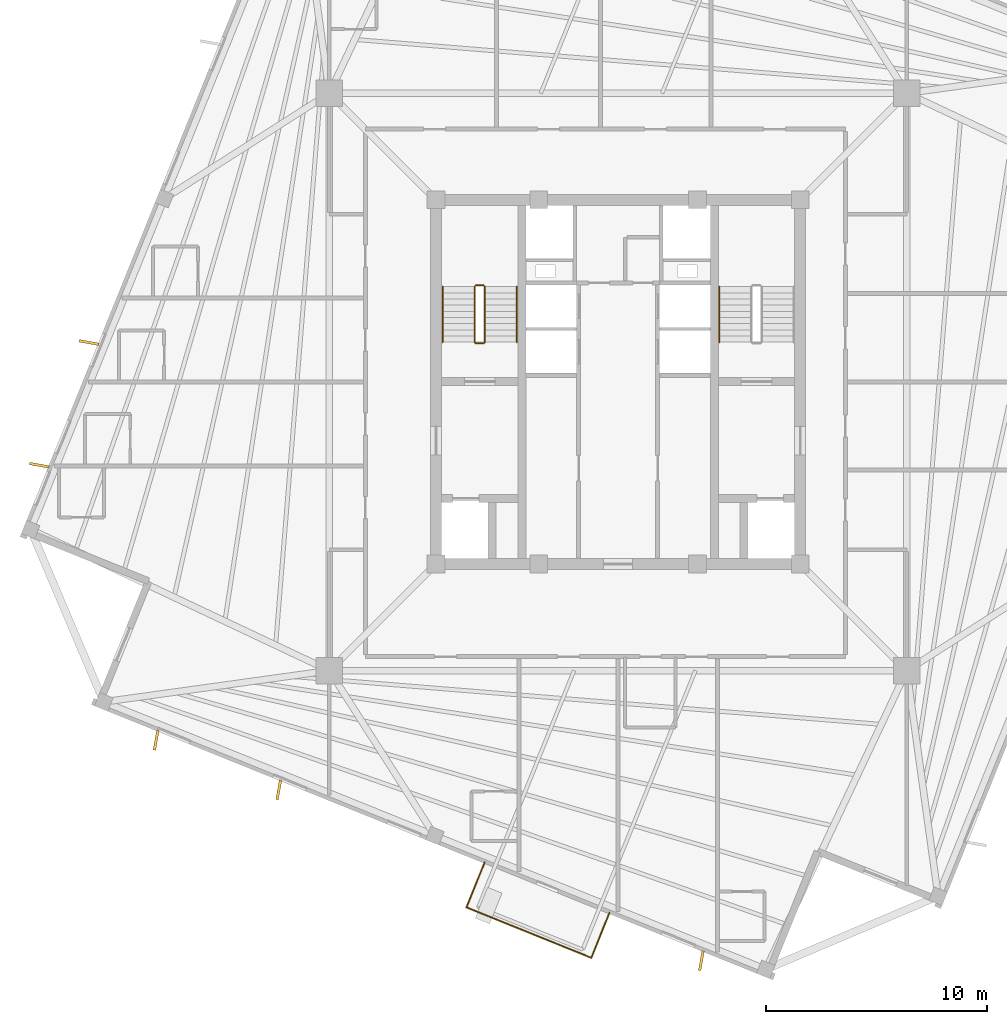
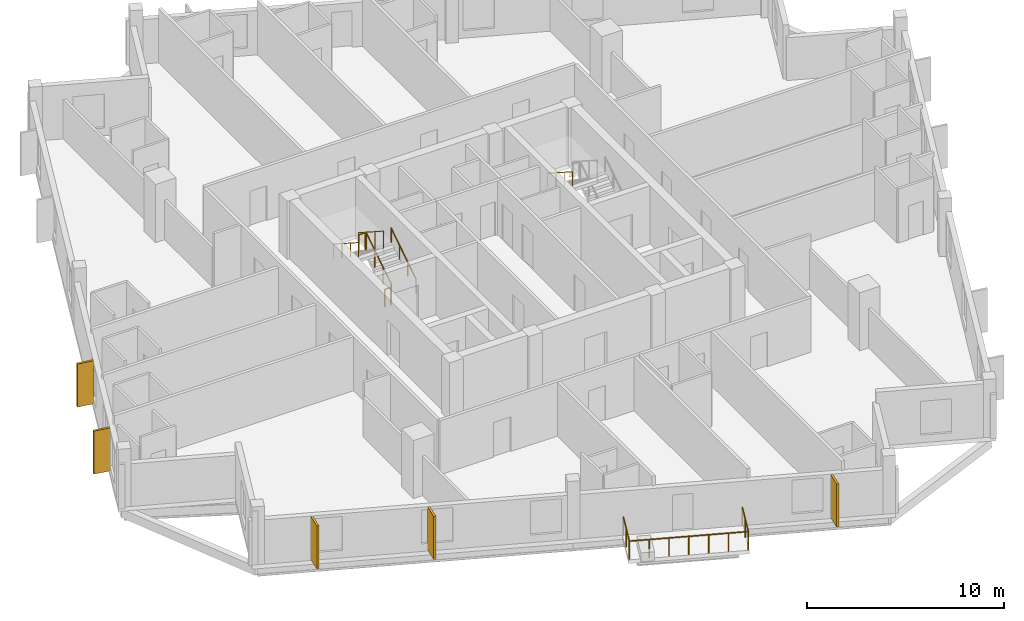
# One storey, part 7 of 9: 10 railings, 5 coverings.
"""IFC4 building model written with IfcOpenShell, lengths in metres."""

import ifcopenshell
import ifcopenshell.guid

model = None  # the IFC model being written
_history = None  # IfcOwnerHistory: only IFC2X3 demands one
_inside = {}  # id of a spatial element -> (the spatial element, [elements in it])
_under = {}  # id of a project, library or spatial element -> (it, [spatial elements below it])
_declared = {}  # id of a project -> (the project, [libraries it declares])
_typed = {}  # id of a type object -> (the type object, [elements of that type])
_made_of = {}  # id of a material, layer set ... -> (it, [elements and type objects made of it])


def new_model(schema):
    """Start an empty IFC model of exactly this schema.

    Asked for "IFC4X3", IfcOpenShell would pick the latest addendum, in which some entities
    have other attributes; the version numbers below select the first issue.
    IFC2X3 requires an IfcOwnerHistory on every rooted entity: one is made here for all.
    """
    global model, _history
    if schema == "IFC4X3":
        model = ifcopenshell.file(schema_version=(4, 3, 0, 0))
    else:
        model = ifcopenshell.file(schema=schema)
    _inside.clear()
    _under.clear()
    _declared.clear()
    _typed.clear()
    _made_of.clear()
    _history = None
    if model.schema == "IFC2X3":
        org = make("IfcOrganization", Name="unknown")
        user = make(
            "IfcPersonAndOrganization",
            ThePerson=make("IfcPerson", FamilyName="unknown"),
            TheOrganization=org,
        )
        app = make(
            "IfcApplication",
            ApplicationDeveloper=org,
            Version="unknown",
            ApplicationFullName="unknown",
            ApplicationIdentifier="unknown",
        )
        _history = make(
            "IfcOwnerHistory",
            OwningUser=user,
            OwningApplication=app,
            ChangeAction="ADDED",
            CreationDate=0,
        )
    return model


def make(cls, **values):
    """One entity of the class cls with the attributes given. An attribute that is None is left unset."""
    return model.create_entity(
        cls, **{name: value for name, value in values.items() if value is not None}
    )


def rooted(cls, **values):
    """An entity with a GlobalId (a new one), such as an element, a storey or a relation."""
    return make(cls, GlobalId=ifcopenshell.guid.new(), OwnerHistory=_history, **values)


def si_unit(unit_type, name, prefix=None):
    """IfcSIUnit, for example si_unit("LENGTHUNIT", "METRE", prefix="MILLI")."""
    return make("IfcSIUnit", UnitType=unit_type, Prefix=prefix, Name=name)


def assignment(units):
    """IfcUnitAssignment: the units of a project."""
    return None if units is None else make("IfcUnitAssignment", Units=units)


def point(xyz):
    """IfcCartesianPoint."""
    return None if xyz is None else make("IfcCartesianPoint", Coordinates=xyz)


def direction(xyz):
    """IfcDirection."""
    return None if xyz is None else make("IfcDirection", DirectionRatios=xyz)


def frame(location, z_axis=None, x_axis=None):
    """IfcAxis2Placement3D, a coordinate frame: its origin and axes. An axis left out is left unset."""
    return make(
        "IfcAxis2Placement3D",
        Location=point(location),
        Axis=direction(z_axis),
        RefDirection=direction(x_axis),
    )


def frame_2d(location, x_axis=None):
    """IfcAxis2Placement2D, a coordinate frame in the plane: its origin and x axis."""
    return make(
        "IfcAxis2Placement2D", Location=point(location), RefDirection=direction(x_axis)
    )


def origin():
    """The frame at (0, 0, 0) with its axes left unset."""
    return frame((0.0, 0.0, 0.0))


def origin_2d():
    """The frame at (0, 0) in the plane with its x axis left unset."""
    return frame_2d((0.0, 0.0))


def place(relative_to, where):
    """IfcLocalPlacement: puts the frame where relative to a parent placement (None: the world)."""
    return make(
        "IfcLocalPlacement", PlacementRelTo=relative_to, RelativePlacement=where
    )


def context(
    kind, dimensions, precision=None, world=None, true_north=None, identifier=None
):
    """IfcGeometricRepresentationContext, for example the 3D "Model" context."""
    return make(
        "IfcGeometricRepresentationContext",
        ContextIdentifier=identifier,
        ContextType=kind,
        CoordinateSpaceDimension=dimensions,
        Precision=precision,
        WorldCoordinateSystem=world,
        TrueNorth=true_north,
    )


def subcontext(parent, identifier, kind, view, scale=None):
    """IfcGeometricRepresentationSubContext, for example "Body" below "Model"."""
    return make(
        "IfcGeometricRepresentationSubContext",
        ContextIdentifier=identifier,
        ContextType=kind,
        ParentContext=parent,
        TargetScale=scale,
        TargetView=view,
    )


def project(units=None, contexts=None):
    """IfcProject with its units and contexts."""
    return rooted(
        "IfcProject",
        Name="project",
        RepresentationContexts=contexts,
        UnitsInContext=assignment(units),
    )


def spatial(cls, under=None, at=None, **own):
    """A site, building, storey or space (cls), placed at a placement, below another one or the project."""
    s = rooted(cls, ObjectPlacement=at, **own)
    if under is not None:
        _under.setdefault(under.id(), (under, []))[1].append(s)
    return s


def profile(cls, at=None, kind="AREA", **sizes):
    """A parametric profile (cls). Its sizes go by their IFC names, for example OverallWidth=200.0."""
    return make(cls, ProfileType=kind, Position=at, **sizes)


def rectangle(**sizes):
    """IfcRectangleProfileDef."""
    return profile("IfcRectangleProfileDef", **sizes)


def circle(**sizes):
    """IfcCircleProfileDef."""
    return profile("IfcCircleProfileDef", **sizes)


def extrude(swept, where, along, depth):
    """IfcExtrudedAreaSolid: the profile swept, set in the frame where, extruded along a direction by depth."""
    return make(
        "IfcExtrudedAreaSolid",
        SweptArea=swept,
        Position=where,
        ExtrudedDirection=direction(along),
        Depth=depth,
    )


def shape(context_of_items, identifier, shape_type, items):
    """IfcShapeRepresentation: the items that make up one representation, for example the "Body"."""
    return make(
        "IfcShapeRepresentation",
        ContextOfItems=context_of_items,
        RepresentationIdentifier=identifier,
        RepresentationType=shape_type,
        Items=items,
    )


def source(mapping_origin, context_of_items, identifier, shape_type, items):
    """IfcRepresentationMap: a shape defined once, which mapped items show again and again."""
    return make(
        "IfcRepresentationMap",
        MappingOrigin=mapping_origin,
        MappedRepresentation=shape(context_of_items, identifier, shape_type, items),
    )


def transform(
    local_origin,
    x_axis=None,
    y_axis=None,
    z_axis=None,
    scale=None,
    scale2=None,
    scale3=None,
    uniform=True,
):
    """IfcCartesianTransformationOperator3D, or its non-uniform kind. x_axis, y_axis, z_axis: its Axis1, 2, 3."""
    if uniform:
        return make(
            "IfcCartesianTransformationOperator3D",
            Axis1=direction(x_axis),
            Axis2=direction(y_axis),
            LocalOrigin=point(local_origin),
            Scale=scale,
            Axis3=direction(z_axis),
        )
    return make(
        "IfcCartesianTransformationOperator3DnonUniform",
        Axis1=direction(x_axis),
        Axis2=direction(y_axis),
        LocalOrigin=point(local_origin),
        Scale=scale,
        Axis3=direction(z_axis),
        Scale2=scale2,
        Scale3=scale3,
    )


def mapped(mapping_source, mapping_target):
    """IfcMappedItem: shows the shape of a source again, moved by a transform."""
    return make(
        "IfcMappedItem", MappingSource=mapping_source, MappingTarget=mapping_target
    )


def material(Name=None, Category=None):
    """IfcMaterial."""
    return make("IfcMaterial", Name=Name, Category=Category)


def layer(
    of_material, thickness, ventilated=None, Name=None, Category=None, Priority=None
):
    """IfcMaterialLayer: one layer of a wall or slab, of a material (None: an air gap)."""
    return make(
        "IfcMaterialLayer",
        Material=of_material,
        LayerThickness=thickness,
        IsVentilated=ventilated,
        Name=Name,
        Category=Category,
        Priority=Priority,
    )


def layer_set(layers, Name=None):
    """IfcMaterialLayerSet."""
    return make("IfcMaterialLayerSet", MaterialLayers=layers, LayerSetName=Name)


def made_of(thing, what):
    """Note that an element or type object is made of a material, layer set ...; save() writes the relation."""
    if what is not None:
        _made_of.setdefault(what.id(), (what, []))[1].append(thing)
    return thing


def type_object(cls, material=None, **own):
    """A type object (cls), such as IfcWallType, which elements share."""
    return made_of(rooted(cls, **own), material)


def element(
    cls,
    number,
    at=None,
    inside=None,
    cuts=None,
    type_object=None,
    material=None,
    context=None,
    identifier="Body",
    shape_type=None,
    held_by="IfcProductDefinitionShape",
    body=None,
    shapes=None,
    **own,
):
    """One element of the class cls, such as IfcWall. Its Tag is "e" and its number.

    at: its placement. inside: the storey or other place that contains it. cuts: it is an
    opening in that element (IfcRelVoidsElement). A single representation is given by context,
    identifier, shape_type and body (its items); several are given by shapes. held_by: the class
    of the entity that holds the representations. save() writes the other relations.
    """
    e = rooted(cls, Tag="e%d" % number, ObjectPlacement=at, **own)
    if body is not None:
        shapes = [shape(context, identifier, shape_type, body)]
    if shapes is not None:
        e.Representation = make(held_by, Representations=shapes)
    if inside is not None:
        _inside.setdefault(inside.id(), (inside, []))[1].append(e)
    if cuts is not None:
        rooted(
            "IfcRelVoidsElement", RelatingBuildingElement=cuts, RelatedOpeningElement=e
        )
    if type_object is not None:
        _typed.setdefault(type_object.id(), (type_object, []))[1].append(e)
    return made_of(e, material)


def aggregate(whole, parts):
    """IfcRelAggregates: a whole, such as a stair, and the parts it consists of."""
    return rooted("IfcRelAggregates", RelatingObject=whole, RelatedObjects=parts)


def save(model, path):
    """Write the relations noted so far, then the file.

    IfcRelAggregates (storeys below a building ...), IfcRelContainedInSpatialStructure (elements
    in a storey), IfcRelDefinesByType, IfcRelAssociatesMaterial and IfcRelDeclares: one each for
    every whole, place, type object, material and project.
    """
    for whole, parts in _under.values():
        aggregate(whole, parts)
    for where, things in _inside.values():
        rooted(
            "IfcRelContainedInSpatialStructure",
            RelatedElements=things,
            RelatingStructure=where,
        )
    for kind, things in _typed.values():
        rooted("IfcRelDefinesByType", RelatedObjects=things, RelatingType=kind)
    for what, things in _made_of.values():
        rooted("IfcRelAssociatesMaterial", RelatedObjects=things, RelatingMaterial=what)
    for by, libraries in _declared.values():
        rooted("IfcRelDeclares", RelatingContext=by, RelatedDefinitions=libraries)
    model.write(path)


model = new_model("IFC4")

# Units and contexts
model_context = context("Model", 3, precision=1e-05, world=origin(), true_north=direction((0.0, 1.0)))
body_context = subcontext(model_context, "Body", "Model", "MODEL_VIEW")
ifc_project = project(units=[si_unit("LENGTHUNIT", "METRE"), si_unit("AREAUNIT", "SQUARE_METRE"), si_unit("VOLUMEUNIT", "CUBIC_METRE"), si_unit("PLANEANGLEUNIT", "RADIAN"), si_unit("MASSUNIT", "GRAM", prefix="KILO"), si_unit("THERMODYNAMICTEMPERATUREUNIT", "KELVIN")], contexts=[model_context])

# Site, building, storey
site_placement = place(None, origin())
site = spatial("IfcSite", under=ifc_project, at=site_placement, CompositionType="ELEMENT")
building_placement = place(site_placement, origin())
building = spatial("IfcBuilding", under=site, at=building_placement, Name="Kosmvard Interchange Tower", CompositionType="ELEMENT")
storey_placement = place(building_placement, frame((0.0, 0.0, 276.0)))
storey = spatial("IfcBuildingStorey", under=building, at=storey_placement, Name="L67", CompositionType="ELEMENT", Elevation=276.0)

# Coverings
ifc_material_1 = material(Name="Architectural anodised aluminium", Category="aluminium")
ifc_layer = layer(ifc_material_1, 0.1201171875, Name="Architectural anodised aluminium")
ifc_layer_set = layer_set([ifc_layer], Name="Architectural anodised aluminium")
covering_type = type_object("IfcCoveringType", Name="Rotating Vertical Sun-Breaker Fin 900x120 Aluminium", PredefinedType="CLADDING", material=ifc_layer_set)
shared_shape_1 = source(origin(), body_context, "Body", "SweptSolid", [
    extrude(rectangle(XDim=0.89990234375, YDim=0.1201171875, at=origin_2d()), origin(), (0.0, 0.0, 1.0), 2.669921875),
])
for number, where, z_axis, x_axis, name in (
    (1, (-23.977783203125, 1.783935546875, 0.0400390625), (0.0, 0.0, 1.0), (-0.984625369118, 0.174679370533, 0.0), "L67 Rotating Vertical Sun-Breaker Fin 10"),
    (2, (-26.223876953125, -3.775390625, 0.0400390625), (0.0, 0.0, 1.0), (-0.984625369118, 0.174679370533, 0.0), "L67 Rotating Vertical Sun-Breaker Fin 11"),
    (3, (-20.932373046875, -16.2412109375, 0.0400390625), (0.0, 0.0, 1.0), (-0.174679370533, -0.984625369118, 0.0), "L67 Rotating Vertical Sun-Breaker Fin 12"),
    (4, (-15.373046875, -18.4873046875, 0.0400390625), (0.0, 0.0, 1.0), (-0.174679370533, -0.984625369118, 0.0), "L67 Rotating Vertical Sun-Breaker Fin 13"),
    (5, (3.775390625, -26.223876953125, 0.0400390625), (0.0, 0.0, 1.0), (-0.174679370533, -0.984625369118, 0.0), "L67 Rotating Vertical Sun-Breaker Fin 14"),
):
    element("IfcCovering", number, at=place(storey_placement, frame(where, z_axis=z_axis, x_axis=x_axis)), inside=storey, type_object=covering_type, Name=name, PredefinedType="CLADDING", context=body_context, shape_type="MappedRepresentation", body=[
        mapped(shared_shape_1, transform((0.0, 0.0, 0.0), scale=1.0)),
    ])

# Railings
ifc_material_2 = material(Name="Steel S355", Category="steel")
railing_type_1 = type_object("IfcRailingType", Name="Observation & Balcony Glass-Infill Balustrade 1150", PredefinedType="BALUSTRADE", material=ifc_material_2)
shared_shape_2 = source(origin(), body_context, "Body", "SweptSolid", [
    extrude(circle(Radius=0.02392578125, at=origin_2d()), frame((0.0, 0.0, 1.1259765625), z_axis=(0.374545618852, 0.927208487558, 0.0), x_axis=(-0.927208487558, 0.374545618852, 0.0)), (0.0, 0.0, 1.0), 2.199951171875),
    extrude(circle(Radius=0.02099609375, at=origin_2d()), origin(), (0.0, 0.0, 1.0), 1.101806640625),
    extrude(circle(Radius=0.02099609375, at=origin_2d()), frame((0.412109375, 1.02001953125, 0.0)), (0.0, 0.0, 1.0), 1.101806640625),
    extrude(circle(Radius=0.02099609375, at=origin_2d()), frame((0.823974609375, 2.039794921875, 0.0)), (0.0, 0.0, 1.0), 1.101806640625),
])
railing_1_placement = place(storey_placement, frame((-1.2138671875, -26.095458984375, 0.0)))
element("IfcRailing", 6, at=railing_1_placement, inside=storey, type_object=railing_type_1, Name="L67 Outdoor Terrace Guard BAL-L67-W-C", PredefinedType="BALUSTRADE", context=body_context, shape_type="MappedRepresentation", body=[
    mapped(shared_shape_2, transform((0.0, 0.0, 0.0), scale=1.0)),
])
shared_shape_3 = source(origin(), body_context, "Body", "SweptSolid", [
    extrude(circle(Radius=0.02392578125, at=origin_2d()), frame((0.0, 0.0, 1.1259765625), z_axis=(-0.374545618852, -0.927208487558, 0.0), x_axis=(0.927208487558, -0.374545618852, 0.0)), (0.0, 0.0, 1.0), 2.199951171875),
    extrude(circle(Radius=0.02099609375, at=origin_2d()), origin(), (0.0, 0.0, 1.0), 1.101806640625),
    extrude(circle(Radius=0.02099609375, at=origin_2d()), frame((-0.412109375, -1.02001953125, 0.0)), (0.0, 0.0, 1.0), 1.101806640625),
    extrude(circle(Radius=0.02099609375, at=origin_2d()), frame((-0.823974609375, -2.039794921875, 0.0)), (0.0, 0.0, 1.0), 1.101806640625),
])
railing_2_placement = place(storey_placement, frame((-6.045654296875, -21.7705078125, 0.0)))
element("IfcRailing", 7, at=railing_2_placement, inside=storey, type_object=railing_type_1, Name="L67 Outdoor Terrace Guard BAL-L67-W-A", PredefinedType="BALUSTRADE", context=body_context, shape_type="MappedRepresentation", body=[
    mapped(shared_shape_3, transform((0.0, 0.0, 0.0), scale=1.0)),
])
shared_shape_4 = source(origin(), body_context, "Body", "SweptSolid", [
    extrude(circle(Radius=0.02392578125, at=origin_2d()), frame((0.0, 0.0, 1.1259765625), z_axis=(0.927179288599, -0.374617894384, 0.0), x_axis=(0.374617894384, 0.927179288599, 0.0)), (0.0, 0.0, 1.0), 6.099853515625),
    extrude(circle(Radius=0.02099609375, at=origin_2d()), origin(), (0.0, 0.0, 1.0), 1.101806640625),
    extrude(circle(Radius=0.02099609375, at=origin_2d()), frame((0.942626953125, -0.380859375, 0.0)), (0.0, 0.0, 1.0), 1.101806640625),
    extrude(circle(Radius=0.02099609375, at=origin_2d()), frame((1.88525390625, -0.76171875, 0.0)), (0.0, 0.0, 1.0), 1.101806640625),
    extrude(circle(Radius=0.02099609375, at=origin_2d()), frame((2.827880859375, -1.142578125, 0.0)), (0.0, 0.0, 1.0), 1.101806640625),
    extrude(circle(Radius=0.02099609375, at=origin_2d()), frame((3.7705078125, -1.5234375, 0.0)), (0.0, 0.0, 1.0), 1.101806640625),
    extrude(circle(Radius=0.02099609375, at=origin_2d()), frame((4.713134765625, -1.904296875, 0.0)), (0.0, 0.0, 1.0), 1.101806640625),
    extrude(circle(Radius=0.02099609375, at=origin_2d()), frame((5.65576171875, -2.28515625, 0.0)), (0.0, 0.0, 1.0), 1.101806640625),
])
railing_3_placement = place(storey_placement, frame((-6.86962890625, -23.810302734375, 0.0)))
element("IfcRailing", 8, at=railing_3_placement, inside=storey, type_object=railing_type_1, Name="L67 Outdoor Terrace Guard BAL-L67-W-B", PredefinedType="BALUSTRADE", context=body_context, shape_type="MappedRepresentation", body=[
    mapped(shared_shape_4, transform((0.0, 0.0, 0.0), scale=1.0)),
])
railing_type_2 = type_object("IfcRailingType", Name="Stair & Terrace Safety Guardrail 1100 Steel", PredefinedType="GUARDRAIL", material=ifc_material_2)
shared_shape_5 = source(origin(), body_context, "Body", "SweptSolid", [
    extrude(circle(Radius=0.02392578125, at=origin_2d()), frame((0.0, 0.0, 1.076171875), z_axis=(-1.0, 0.0, 0.0), x_axis=(0.0, -1.0, 0.0)), (0.0, 0.0, 1.0), 0.35986328125),
    extrude(circle(Radius=0.02099609375, at=origin_2d()), origin(), (0.0, 0.0, 1.0), 1.052001953125),
    extrude(circle(Radius=0.02099609375, at=origin_2d()), frame((-0.35986328125, 0.0, 0.0)), (0.0, 0.0, 1.0), 1.052001953125),
])
for number, where, name in (
    (9, (-6.090087890625, 4.3701171875, 1.800048828125), "L67 ST-1 stair guard 2"),
    (10, (-6.090087890625, 1.75, 0.0), "L67 ST-1 stair guard 4"),
):
    element("IfcRailing", number, at=place(storey_placement, frame(where)), inside=storey, type_object=railing_type_2, Name=name, PredefinedType="GUARDRAIL", context=body_context, shape_type="MappedRepresentation", body=[
        mapped(shared_shape_5, transform((0.0, 0.0, 0.0), scale=1.0)),
    ])
shared_shape_6 = source(origin(), body_context, "Body", "SweptSolid", [
    extrude(circle(Radius=0.02392578125, at=origin_2d()), frame((0.0, 0.0, 1.076171875), z_axis=(0.0, 0.841162588446, 0.540782303519), x_axis=(-1.0, 0.0, 0.0)), (0.0, 0.0, 1.0), 2.995849609375),
    extrude(circle(Radius=0.02099609375, at=origin_2d()), origin(), (0.0, 0.0, 1.0), 1.052001953125),
    extrude(circle(Radius=0.02099609375, at=origin_2d()), frame((0.0, 0.840087890625, 0.5400390625)), (0.0, 0.0, 1.0), 1.052001953125),
    extrude(circle(Radius=0.02099609375, at=origin_2d()), frame((0.0, 1.679931640625, 1.080078125)), (0.0, 0.0, 1.0), 1.052001953125),
    extrude(circle(Radius=0.02099609375, at=origin_2d()), frame((0.0, 2.52001953125, 1.6201171875)), (0.0, 0.0, 1.0), 1.052001953125),
])
railing_4_placement = place(storey_placement, frame((-6.0400390625, 1.800048828125, 0.179931640625)))
element("IfcRailing", 11, at=railing_4_placement, inside=storey, type_object=railing_type_2, Name="L67 ST-1 stair guard 1", PredefinedType="GUARDRAIL", context=body_context, shape_type="MappedRepresentation", body=[
    mapped(shared_shape_6, transform((0.0, 0.0, 0.0), scale=1.0)),
])
shared_shape_7 = source(origin(), body_context, "Body", "SweptSolid", [
    extrude(circle(Radius=0.02392578125, at=origin_2d()), frame((0.0, 0.0, 1.076171875), z_axis=(0.0, -0.841162588446, 0.540782303519), x_axis=(1.0, 0.0, 0.0)), (0.0, 0.0, 1.0), 2.995849609375),
    extrude(circle(Radius=0.02099609375, at=origin_2d()), origin(), (0.0, 0.0, 1.0), 1.052001953125),
    extrude(circle(Radius=0.02099609375, at=origin_2d()), frame((0.0, -0.840087890625, 0.5400390625)), (0.0, 0.0, 1.0), 1.052001953125),
    extrude(circle(Radius=0.02099609375, at=origin_2d()), frame((0.0, -1.679931640625, 1.080078125)), (0.0, 0.0, 1.0), 1.052001953125),
    extrude(circle(Radius=0.02099609375, at=origin_2d()), frame((0.0, -2.52001953125, 1.6201171875)), (0.0, 0.0, 1.0), 1.052001953125),
])
railing_5_placement = place(storey_placement, frame((-6.5, 4.320068359375, 1.97998046875)))
element("IfcRailing", 12, at=railing_5_placement, inside=storey, type_object=railing_type_2, Name="L67 ST-1 stair guard 3", PredefinedType="GUARDRAIL", context=body_context, shape_type="MappedRepresentation", body=[
    mapped(shared_shape_7, transform((0.0, 0.0, 0.0), scale=1.0)),
])
railing_type_3 = type_object("IfcRailingType", Name="Wall-Mounted Stair Handrail 900 Steel", PredefinedType="HANDRAIL", material=ifc_material_2)
shared_shape_8 = source(origin(), body_context, "Body", "SweptSolid", [
    extrude(circle(Radius=0.02392578125, at=origin_2d()), frame((0.0, 0.0, 0.8759765625), z_axis=(0.0, 0.841162588446, 0.540782303519), x_axis=(-1.0, 0.0, 0.0)), (0.0, 0.0, 1.0), 2.995849609375),
    extrude(circle(Radius=0.02099609375, at=origin_2d()), origin(), (0.0, 0.0, 1.0), 0.851806640625),
    extrude(circle(Radius=0.02099609375, at=origin_2d()), frame((0.0, 0.840087890625, 0.5400390625)), (0.0, 0.0, 1.0), 0.851806640625),
    extrude(circle(Radius=0.02099609375, at=origin_2d()), frame((0.0, 1.679931640625, 1.080078125)), (0.0, 0.0, 1.0), 0.851806640625),
    extrude(circle(Radius=0.02099609375, at=origin_2d()), frame((0.0, 2.52001953125, 1.6201171875)), (0.0, 0.0, 1.0), 0.851806640625),
])
railing_6_placement = place(storey_placement, frame((-4.590087890625, 1.800048828125, 0.179931640625)))
element("IfcRailing", 13, at=railing_6_placement, inside=storey, type_object=railing_type_3, Name="L67 ST-1 stair handrail 1", PredefinedType="HANDRAIL", context=body_context, shape_type="MappedRepresentation", body=[
    mapped(shared_shape_8, transform((0.0, 0.0, 0.0), scale=1.0)),
])
shared_shape_9 = source(origin(), body_context, "Body", "SweptSolid", [
    extrude(circle(Radius=0.02392578125, at=origin_2d()), frame((0.0, 0.0, 0.8759765625), z_axis=(0.0, -0.841162588446, 0.540782303519), x_axis=(1.0, 0.0, 0.0)), (0.0, 0.0, 1.0), 2.995849609375),
    extrude(circle(Radius=0.02099609375, at=origin_2d()), origin(), (0.0, 0.0, 1.0), 0.851806640625),
    extrude(circle(Radius=0.02099609375, at=origin_2d()), frame((0.0, -0.840087890625, 0.5400390625)), (0.0, 0.0, 1.0), 0.851806640625),
    extrude(circle(Radius=0.02099609375, at=origin_2d()), frame((0.0, -1.679931640625, 1.080078125)), (0.0, 0.0, 1.0), 0.851806640625),
    extrude(circle(Radius=0.02099609375, at=origin_2d()), frame((0.0, -2.52001953125, 1.6201171875)), (0.0, 0.0, 1.0), 0.851806640625),
])
for number, where, name in (
    (14, (-7.949951171875, 4.320068359375, 1.97998046875), "L67 ST-1 stair handrail 2"),
    (15, (4.590087890625, 4.320068359375, 1.97998046875), "L67 ST-2 stair handrail 2"),
):
    element("IfcRailing", number, at=place(storey_placement, frame(where)), inside=storey, type_object=railing_type_3, Name=name, PredefinedType="HANDRAIL", context=body_context, shape_type="MappedRepresentation", body=[
        mapped(shared_shape_9, transform((0.0, 0.0, 0.0), scale=1.0)),
    ])

save(model, "model.ifc")
